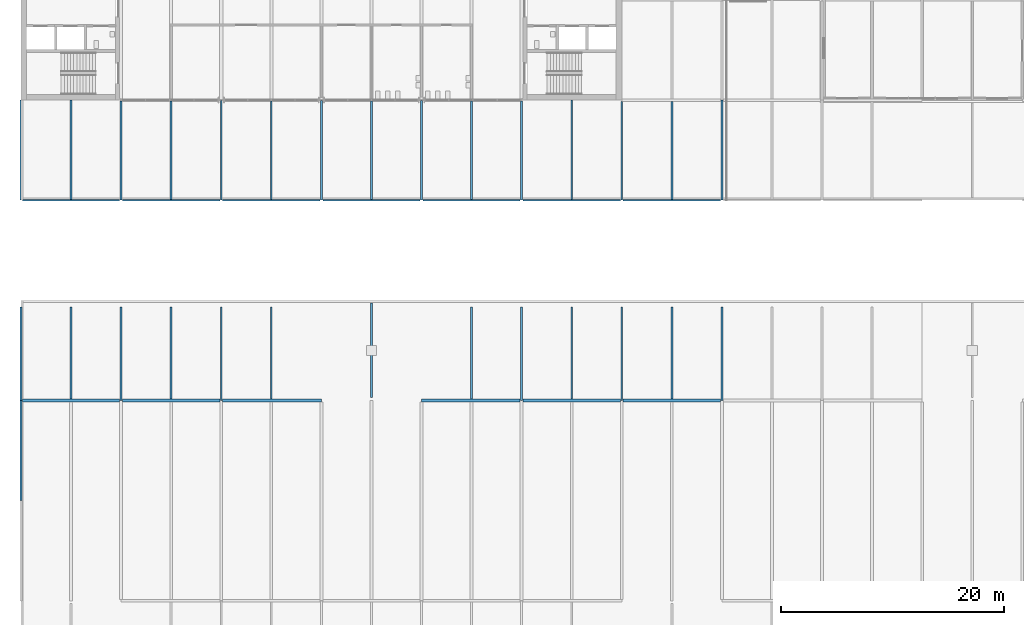
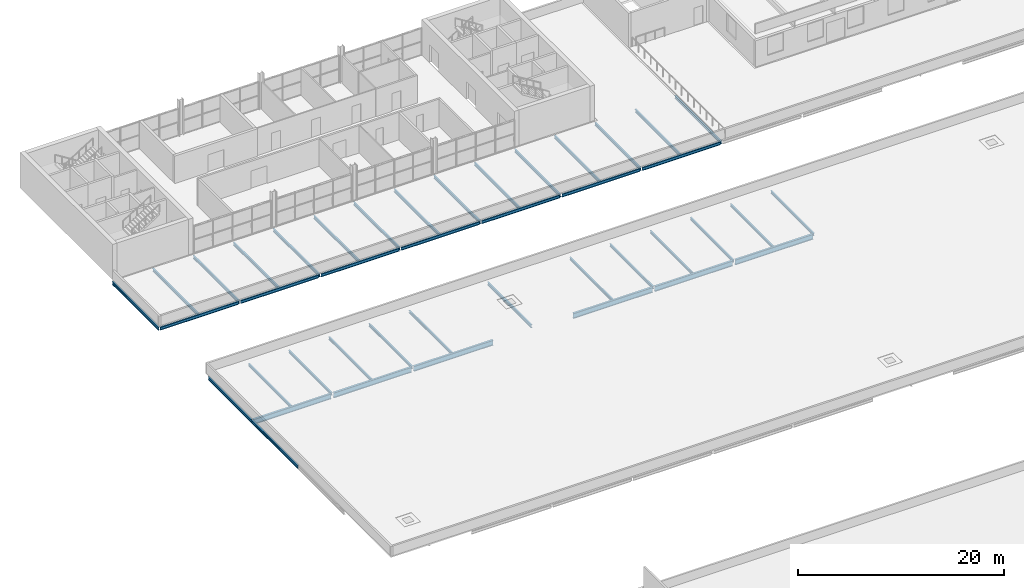
# One storey, part 14 of 50: 42 beams.
"""IFC4 building model written with IfcOpenShell, lengths in metres."""

from ifc_helpers import new_model, si_unit, direction, frame, origin, origin_2d, place, context, subcontext, project, spatial, i_section, extrude, material, material_profile, profile_set, type_object, element, save


model = new_model("IFC4")

# Units and contexts
model_context = context("Model", 3, precision=1e-05, world=origin(), true_north=direction((0.0, 1.0)))
body_context = subcontext(model_context, "Body", "Model", "MODEL_VIEW")
ifc_project = project(units=[si_unit("LENGTHUNIT", "METRE"), si_unit("AREAUNIT", "SQUARE_METRE"), si_unit("VOLUMEUNIT", "CUBIC_METRE"), si_unit("PLANEANGLEUNIT", "RADIAN"), si_unit("MASSUNIT", "GRAM", prefix="KILO")], contexts=[model_context])

# Site, building, storey
site_placement = place(None, origin())
site = spatial("IfcSite", under=ifc_project, at=site_placement, CompositionType="ELEMENT")
building_placement = place(site_placement, origin())
building = spatial("IfcBuilding", under=site, at=building_placement, Name="Corbel Yard City Hall", CompositionType="ELEMENT")
storey_placement = place(building_placement, frame((0.0, 0.0, 15.0)))
storey = spatial("IfcBuildingStorey", under=building, at=storey_placement, Name="L03", CompositionType="ELEMENT", Elevation=15.0)

# Beams
ifc_material = material(Name="Steel Grade 300 (300 MPa yield)", Category="steel")
ifc_material_profile_1 = material_profile(ifc_material, i_section(OverallWidth=0.166015625, OverallDepth=0.306884765625, WebThickness=0.006591796875, FlangeThickness=0.01171875, at=origin_2d()), Name="310UB46.2")
ifc_profile_set_1 = profile_set([ifc_material_profile_1], Name="Steel Grade 300 (300 MPa yield)")
beam_type_1 = type_object("IfcBeamType", Name="Beam 310UB46.2", PredefinedType="BEAM", material=ifc_profile_set_1)
for number, where, z_axis, x_axis, name in (
    (1, (9.0, 72.00537109375, -0.303466796875), (0.0, 1.0, 0.0), (-1.0, 0.0, 0.0), "Beam 310UB46.2 SB19 L03roof"),
    (2, (18.0, 72.00537109375, -0.303466796875), (0.0, 1.0, 0.0), (-1.0, 0.0, 0.0), "Beam 310UB46.2 SB19 L03roof"),
    (3, (45.0, 72.00537109375, -0.303466796875), (0.0, 1.0, 0.0), (-1.0, 0.0, 0.0), "Beam 310UB46.2 SB19 L03roof"),
    (4, (54.0, 72.00537109375, -0.303466796875), (0.0, 1.0, 0.0), (-1.0, 0.0, 0.0), "Beam 310UB46.2 SB19 L03roof"),
    (5, (63.0, 72.00537109375, -0.303466796875), (0.0, 1.0, 0.0), (-1.0, 0.0, 0.0), "Beam 310UB46.2 SB19 L03roof"),
):
    element("IfcBeam", number, at=place(storey_placement, frame(where, z_axis=z_axis, x_axis=x_axis)), inside=storey, type_object=beam_type_1, Name=name, PredefinedType="BEAM", context=body_context, shape_type="SweptSolid", body=[
        extrude(i_section(OverallWidth=0.166015625, OverallDepth=0.306884765625, WebThickness=0.006591796875, FlangeThickness=0.01171875, at=origin_2d()), origin(), (0.0, 0.0, 1.0), 8.39453125),
    ])
ifc_material_profile_2 = material_profile(ifc_material, i_section(OverallWidth=0.1708984375, OverallDepth=0.35205078125, WebThickness=0.0068359375, FlangeThickness=0.009765625, at=origin_2d()), Name="360UB44.7")
ifc_profile_set_2 = profile_set([ifc_material_profile_2], Name="Steel Grade 300 (300 MPa yield)")
beam_type_2 = type_object("IfcBeamType", Name="Beam 360UB44.7", PredefinedType="BEAM", material=ifc_profile_set_2)
beam_1_placement = place(storey_placement, frame((9.0, 90.00439453125, -0.325927734375), z_axis=(0.0, 1.0, 0.0), x_axis=(-1.0, 0.0, 0.0)))
element("IfcBeam", 6, at=beam_1_placement, inside=storey, type_object=beam_type_2, Name="Beam 360UB44.7 SB13 L03roof", PredefinedType="BEAM", context=body_context, shape_type="SweptSolid", body=[
    extrude(i_section(OverallWidth=0.1708984375, OverallDepth=0.35205078125, WebThickness=0.0068359375, FlangeThickness=0.009765625, at=origin_2d()), origin(), (0.0, 0.0, 1.0), 8.900634765625),
])
for number, where, z_axis, x_axis, name in (
    (7, (18.0, 90.00439453125, -0.325927734375), (0.0, 1.0, 0.0), (-1.0, 0.0, 0.0), "Beam 360UB44.7 SB13 L03roof"),
    (8, (27.0, 90.00439453125, -0.325927734375), (0.0, 1.0, 0.0), (-1.0, 0.0, 0.0), "Beam 360UB44.7 SB13 L03roof"),
    (9, (36.0, 90.00439453125, -0.325927734375), (0.0, 1.0, 0.0), (-1.0, 0.0, 0.0), "Beam 360UB44.7 SB13 L03roof"),
):
    element("IfcBeam", number, at=place(storey_placement, frame(where, z_axis=z_axis, x_axis=x_axis)), inside=storey, type_object=beam_type_2, Name=name, PredefinedType="BEAM", context=body_context, shape_type="SweptSolid", body=[
        extrude(i_section(OverallWidth=0.1708984375, OverallDepth=0.35205078125, WebThickness=0.0068359375, FlangeThickness=0.009765625, at=origin_2d()), origin(), (0.0, 0.0, 1.0), 8.9755859375),
    ])
beam_2_placement = place(storey_placement, frame((45.0, 90.00439453125, -0.325927734375), z_axis=(0.0, 1.0, 0.0), x_axis=(-1.0, 0.0, 0.0)))
element("IfcBeam", 10, at=beam_2_placement, inside=storey, type_object=beam_type_2, Name="Beam 360UB44.7 SB13 L03roof", PredefinedType="BEAM", context=body_context, shape_type="SweptSolid", body=[
    extrude(i_section(OverallWidth=0.1708984375, OverallDepth=0.35205078125, WebThickness=0.0068359375, FlangeThickness=0.009765625, at=origin_2d()), origin(), (0.0, 0.0, 1.0), 8.900634765625),
])
beam_3_placement = place(storey_placement, frame((54.0, 90.00439453125, -0.325927734375), z_axis=(0.0, 1.0, 0.0), x_axis=(-1.0, 0.0, 0.0)))
element("IfcBeam", 11, at=beam_3_placement, inside=storey, type_object=beam_type_2, Name="Beam 360UB44.7 SB13 L03roof", PredefinedType="BEAM", context=body_context, shape_type="SweptSolid", body=[
    extrude(i_section(OverallWidth=0.1708984375, OverallDepth=0.35205078125, WebThickness=0.0068359375, FlangeThickness=0.009765625, at=origin_2d()), origin(), (0.0, 0.0, 1.0), 8.89111328125),
])
beam_4_placement = place(storey_placement, frame((63.0, 90.00439453125, -0.325927734375), z_axis=(0.0, 1.0, 0.0), x_axis=(-1.0, 0.0, 0.0)))
element("IfcBeam", 12, at=beam_4_placement, inside=storey, type_object=beam_type_2, Name="Beam 360UB44.7 SB13 L03roof", PredefinedType="BEAM", context=body_context, shape_type="SweptSolid", body=[
    extrude(i_section(OverallWidth=0.1708984375, OverallDepth=0.35205078125, WebThickness=0.0068359375, FlangeThickness=0.009765625, at=origin_2d()), origin(), (0.0, 0.0, 1.0), 8.990234375),
])
ifc_material_profile_3 = material_profile(ifc_material, i_section(OverallWidth=0.172119140625, OverallDepth=0.35888671875, WebThickness=0.008056640625, FlangeThickness=0.012939453125, at=origin_2d()), Name="360UB56.7")
ifc_profile_set_3 = profile_set([ifc_material_profile_3], Name="Steel Grade 300 (300 MPa yield)")
beam_type_3 = type_object("IfcBeamType", Name="Edge beam 360UB56.7", PredefinedType="BEAM", material=ifc_profile_set_3)
for number, where, z_axis, x_axis, name in (
    (13, (0.126953125, 90.0, -0.32958984375), (1.0, 0.0, 0.0), (0.0, 1.0, 0.0), "Edge beam 360UB56.7 EB4 L03roof"),
    (14, (9.126953125, 90.0, -0.32958984375), (1.0, 0.0, 0.0), (0.0, 1.0, 0.0), "Edge beam 360UB56.7 EB4 L03roof"),
    (15, (18.126953125, 90.0, -0.32958984375), (1.0, 0.0, 0.0), (0.0, 1.0, 0.0), "Edge beam 360UB56.7 EB4 L03roof"),
    (16, (27.126953125, 90.0, -0.32958984375), (1.0, 0.0, 0.0), (0.0, 1.0, 0.0), "Edge beam 360UB56.7 EB4 L03roof"),
    (17, (36.126953125, 90.0, -0.32958984375), (1.0, 0.0, 0.0), (0.0, 1.0, 0.0), "Edge beam 360UB56.7 EB4 L03roof"),
    (18, (45.126953125, 90.0, -0.32958984375), (1.0, 0.0, 0.0), (0.0, 1.0, 0.0), "Edge beam 360UB56.7 EB4 L03roof"),
    (19, (54.126953125, 90.0, -0.32958984375), (1.0, 0.0, 0.0), (0.0, 1.0, 0.0), "Edge beam 360UB56.7 EB4 L03roof"),
):
    element("IfcBeam", number, at=place(storey_placement, frame(where, z_axis=z_axis, x_axis=x_axis)), inside=storey, type_object=beam_type_3, Name=name, PredefinedType="BEAM", context=body_context, shape_type="SweptSolid", body=[
        extrude(i_section(OverallWidth=0.172119140625, OverallDepth=0.35888671875, WebThickness=0.008056640625, FlangeThickness=0.012939453125, at=origin_2d()), origin(), (0.0, 0.0, 1.0), 8.74609375),
    ])
beam_5_placement = place(storey_placement, frame((0.0, 63.00439453125, -0.32958984375), z_axis=(0.0, 1.0, 0.0), x_axis=(-1.0, 0.0, 0.0)))
element("IfcBeam", 20, at=beam_5_placement, inside=storey, type_object=beam_type_3, Name="Edge beam 360UB56.7 EB4 L03roof", PredefinedType="BEAM", context=body_context, shape_type="SweptSolid", body=[
    extrude(i_section(OverallWidth=0.172119140625, OverallDepth=0.35888671875, WebThickness=0.008056640625, FlangeThickness=0.012939453125, at=origin_2d()), origin(), (0.0, 0.0, 1.0), 8.9912109375),
])
beam_6_placement = place(storey_placement, frame((0.0, 72.00439453125, -0.32958984375), z_axis=(0.0, 1.0, 0.0), x_axis=(-1.0, 0.0, 0.0)))
element("IfcBeam", 21, at=beam_6_placement, inside=storey, type_object=beam_type_3, Name="Edge beam 360UB56.7 EB4 L03roof", PredefinedType="BEAM", context=body_context, shape_type="SweptSolid", body=[
    extrude(i_section(OverallWidth=0.172119140625, OverallDepth=0.35888671875, WebThickness=0.008056640625, FlangeThickness=0.012939453125, at=origin_2d()), origin(), (0.0, 0.0, 1.0), 8.3955078125),
])
beam_7_placement = place(storey_placement, frame((0.0, 90.00439453125, -0.32958984375), z_axis=(0.0, 1.0, 0.0), x_axis=(-1.0, 0.0, 0.0)))
element("IfcBeam", 22, at=beam_7_placement, inside=storey, type_object=beam_type_3, Name="Edge beam 360UB56.7 EB4 L03roof", PredefinedType="BEAM", context=body_context, shape_type="SweptSolid", body=[
    extrude(i_section(OverallWidth=0.172119140625, OverallDepth=0.35888671875, WebThickness=0.008056640625, FlangeThickness=0.012939453125, at=origin_2d()), origin(), (0.0, 0.0, 1.0), 8.99560546875),
])
ifc_material_profile_4 = material_profile(ifc_material, i_section(OverallWidth=0.22900390625, OverallDepth=0.612060546875, WebThickness=0.011962890625, FlangeThickness=0.01953125, at=origin_2d()), Name="610UB125")
ifc_profile_set_4 = profile_set([ifc_material_profile_4], Name="Steel Grade 300 (300 MPa yield)")
beam_type_4 = type_object("IfcBeamType", Name="Girder 610UB125", PredefinedType="BEAM", material=ifc_profile_set_4)
beam_8_placement = place(storey_placement, frame((0.126953125, 72.0, -0.4560546875), z_axis=(1.0, 0.0, 0.0), x_axis=(0.0, 1.0, 0.0)))
element("IfcBeam", 23, at=beam_8_placement, inside=storey, type_object=beam_type_4, Name="Girder 610UB125 GB1 L03roof", PredefinedType="BEAM", context=body_context, shape_type="SweptSolid", body=[
    extrude(i_section(OverallWidth=0.22900390625, OverallDepth=0.612060546875, WebThickness=0.011962890625, FlangeThickness=0.01953125, at=origin_2d()), origin(), (0.0, 0.0, 1.0), 8.7431640625),
])
beam_9_placement = place(storey_placement, frame((9.1298828125, 72.0, -0.4560546875), z_axis=(1.0, 0.0, 0.0), x_axis=(0.0, 1.0, 0.0)))
element("IfcBeam", 24, at=beam_9_placement, inside=storey, type_object=beam_type_4, Name="Girder 610UB125 GB1 L03roof", PredefinedType="BEAM", context=body_context, shape_type="SweptSolid", body=[
    extrude(i_section(OverallWidth=0.22900390625, OverallDepth=0.612060546875, WebThickness=0.011962890625, FlangeThickness=0.01953125, at=origin_2d()), origin(), (0.0, 0.0, 1.0), 8.740234375),
])
for number, where, z_axis, x_axis, name in (
    (25, (18.1298828125, 72.0, -0.4560546875), (1.0, 0.0, 0.0), (0.0, 1.0, 0.0), "Girder 610UB125 GB1 L03roof"),
    (26, (36.0, 72.0, -0.4560546875), (1.0, 0.0, 0.0), (0.0, 1.0, 0.0), "Girder 610UB125 GB1 L03roof"),
):
    element("IfcBeam", number, at=place(storey_placement, frame(where, z_axis=z_axis, x_axis=x_axis)), inside=storey, type_object=beam_type_4, Name=name, PredefinedType="BEAM", context=body_context, shape_type="SweptSolid", body=[
        extrude(i_section(OverallWidth=0.22900390625, OverallDepth=0.612060546875, WebThickness=0.011962890625, FlangeThickness=0.01953125, at=origin_2d()), origin(), (0.0, 0.0, 1.0), 8.8701171875),
    ])
for number, where, z_axis, x_axis, name in (
    (27, (45.1298828125, 72.0, -0.4560546875), (1.0, 0.0, 0.0), (0.0, 1.0, 0.0), "Girder 610UB125 GB1 L03roof"),
    (28, (54.1298828125, 72.0, -0.4560546875), (1.0, 0.0, 0.0), (0.0, 1.0, 0.0), "Girder 610UB125 GB1 L03roof"),
):
    element("IfcBeam", number, at=place(storey_placement, frame(where, z_axis=z_axis, x_axis=x_axis)), inside=storey, type_object=beam_type_4, Name=name, PredefinedType="BEAM", context=body_context, shape_type="SweptSolid", body=[
        extrude(i_section(OverallWidth=0.22900390625, OverallDepth=0.612060546875, WebThickness=0.011962890625, FlangeThickness=0.01953125, at=origin_2d()), origin(), (0.0, 0.0, 1.0), 8.740234375),
    ])
ifc_material_profile_5 = material_profile(ifc_material, i_section(OverallWidth=0.166015625, OverallDepth=0.306884765625, WebThickness=0.006591796875, FlangeThickness=0.01171875, at=origin_2d()), Name="310UB46.2")
ifc_profile_set_5 = profile_set([ifc_material_profile_5], Name="Steel Grade 300 (300 MPa yield)")
beam_type_5 = type_object("IfcBeamType", Name="Secondary beam 310UB46.2", PredefinedType="JOIST", material=ifc_profile_set_5)
for number, where, z_axis, x_axis, name in (
    (29, (4.5, 72.114501953125, -0.303466796875), (0.0, 1.0, 0.0), (-1.0, 0.0, 0.0), "Secondary beam 310UB46.2 SB17 L03roof"),
    (30, (13.5, 72.114501953125, -0.303466796875), (0.0, 1.0, 0.0), (-1.0, 0.0, 0.0), "Secondary beam 310UB46.2 SB17 L03roof"),
    (31, (22.5, 72.114501953125, -0.303466796875), (0.0, 1.0, 0.0), (-1.0, 0.0, 0.0), "Secondary beam 310UB46.2 SB17 L03roof"),
    (32, (40.5, 72.114501953125, -0.303466796875), (0.0, 1.0, 0.0), (-1.0, 0.0, 0.0), "Secondary beam 310UB46.2 SB17 L03roof"),
    (33, (49.5, 72.114501953125, -0.303466796875), (0.0, 1.0, 0.0), (-1.0, 0.0, 0.0), "Secondary beam 310UB46.2 SB17 L03roof"),
    (34, (58.5, 72.114501953125, -0.303466796875), (0.0, 1.0, 0.0), (-1.0, 0.0, 0.0), "Secondary beam 310UB46.2 SB17 L03roof"),
):
    element("IfcBeam", number, at=place(storey_placement, frame(where, z_axis=z_axis, x_axis=x_axis)), inside=storey, type_object=beam_type_5, Name=name, PredefinedType="JOIST", context=body_context, shape_type="SweptSolid", body=[
        extrude(i_section(OverallWidth=0.166015625, OverallDepth=0.306884765625, WebThickness=0.006591796875, FlangeThickness=0.01171875, at=origin_2d()), origin(), (0.0, 0.0, 1.0), 8.285400390625),
    ])
ifc_material_profile_6 = material_profile(ifc_material, i_section(OverallWidth=0.1708984375, OverallDepth=0.35205078125, WebThickness=0.0068359375, FlangeThickness=0.009765625, at=origin_2d()), Name="360UB44.7")
ifc_profile_set_6 = profile_set([ifc_material_profile_6], Name="Steel Grade 300 (300 MPa yield)")
beam_type_6 = type_object("IfcBeamType", Name="Secondary beam 360UB44.7", PredefinedType="JOIST", material=ifc_profile_set_6)
beam_10_placement = place(storey_placement, frame((4.5, 90.0859375, -0.325927734375), z_axis=(0.0, 1.0, 0.0), x_axis=(-1.0, 0.0, 0.0)))
element("IfcBeam", 35, at=beam_10_placement, inside=storey, type_object=beam_type_6, Name="Secondary beam 360UB44.7 SB11 L03roof", PredefinedType="JOIST", context=body_context, shape_type="SweptSolid", body=[
    extrude(i_section(OverallWidth=0.1708984375, OverallDepth=0.35205078125, WebThickness=0.0068359375, FlangeThickness=0.009765625, at=origin_2d()), origin(), (0.0, 0.0, 1.0), 8.9140625),
])
for number, where, z_axis, x_axis, name in (
    (36, (13.5, 90.0859375, -0.325927734375), (0.0, 1.0, 0.0), (-1.0, 0.0, 0.0), "Secondary beam 360UB44.7 SB11 L03roof"),
    (37, (22.5, 90.0859375, -0.325927734375), (0.0, 1.0, 0.0), (-1.0, 0.0, 0.0), "Secondary beam 360UB44.7 SB11 L03roof"),
    (38, (31.5, 90.0859375, -0.325927734375), (0.0, 1.0, 0.0), (-1.0, 0.0, 0.0), "Secondary beam 360UB44.7 SB11 L03roof"),
    (39, (40.5, 90.0859375, -0.325927734375), (0.0, 1.0, 0.0), (-1.0, 0.0, 0.0), "Secondary beam 360UB44.7 SB11 L03roof"),
):
    element("IfcBeam", number, at=place(storey_placement, frame(where, z_axis=z_axis, x_axis=x_axis)), inside=storey, type_object=beam_type_6, Name=name, PredefinedType="JOIST", context=body_context, shape_type="SweptSolid", body=[
        extrude(i_section(OverallWidth=0.1708984375, OverallDepth=0.35205078125, WebThickness=0.0068359375, FlangeThickness=0.009765625, at=origin_2d()), origin(), (0.0, 0.0, 1.0), 8.819091796875),
    ])
beam_11_placement = place(storey_placement, frame((49.5, 90.0859375, -0.325927734375), z_axis=(0.0, 1.0, 0.0), x_axis=(-1.0, 0.0, 0.0)))
element("IfcBeam", 40, at=beam_11_placement, inside=storey, type_object=beam_type_6, Name="Secondary beam 360UB44.7 SB11 L03roof", PredefinedType="JOIST", context=body_context, shape_type="SweptSolid", body=[
    extrude(i_section(OverallWidth=0.1708984375, OverallDepth=0.35205078125, WebThickness=0.0068359375, FlangeThickness=0.009765625, at=origin_2d()), origin(), (0.0, 0.0, 1.0), 8.9140625),
])
beam_12_placement = place(storey_placement, frame((58.5, 90.0859375, -0.325927734375), z_axis=(0.0, 1.0, 0.0), x_axis=(-1.0, 0.0, 0.0)))
element("IfcBeam", 41, at=beam_12_placement, inside=storey, type_object=beam_type_6, Name="Secondary beam 360UB44.7 SB11 L03roof", PredefinedType="JOIST", context=body_context, shape_type="SweptSolid", body=[
    extrude(i_section(OverallWidth=0.1708984375, OverallDepth=0.35205078125, WebThickness=0.0068359375, FlangeThickness=0.009765625, at=origin_2d()), origin(), (0.0, 0.0, 1.0), 8.8095703125),
])
beam_13_placement = place(storey_placement, frame((31.5, 72.25, -0.325927734375), z_axis=(0.0, 1.0, 0.0), x_axis=(-1.0, 0.0, 0.0)))
element("IfcBeam", 42, at=beam_13_placement, inside=storey, type_object=beam_type_6, Name="Core roof beam 360UB44.7 SB11 PC-M6", PredefinedType="JOIST", context=body_context, shape_type="SweptSolid", body=[
    extrude(i_section(OverallWidth=0.1708984375, OverallDepth=0.35205078125, WebThickness=0.0068359375, FlangeThickness=0.009765625, at=origin_2d()), origin(), (0.0, 0.0, 1.0), 8.5),
])

save(model, "model.ifc")
